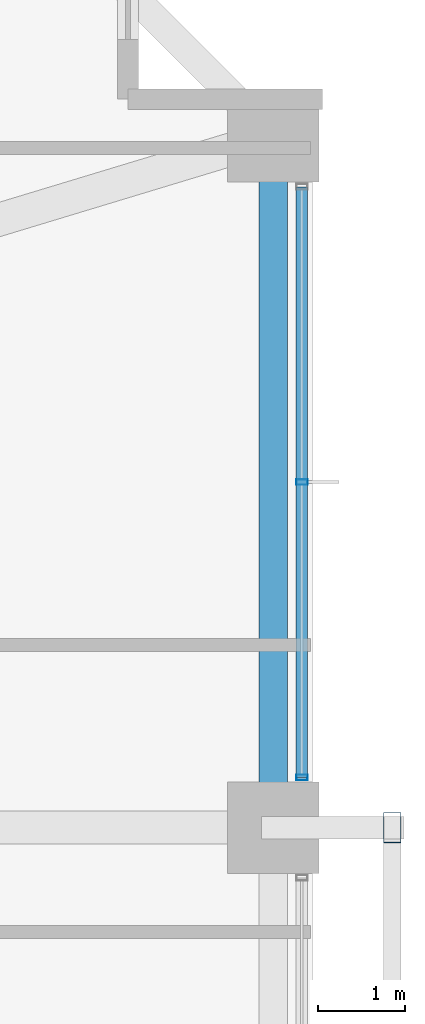
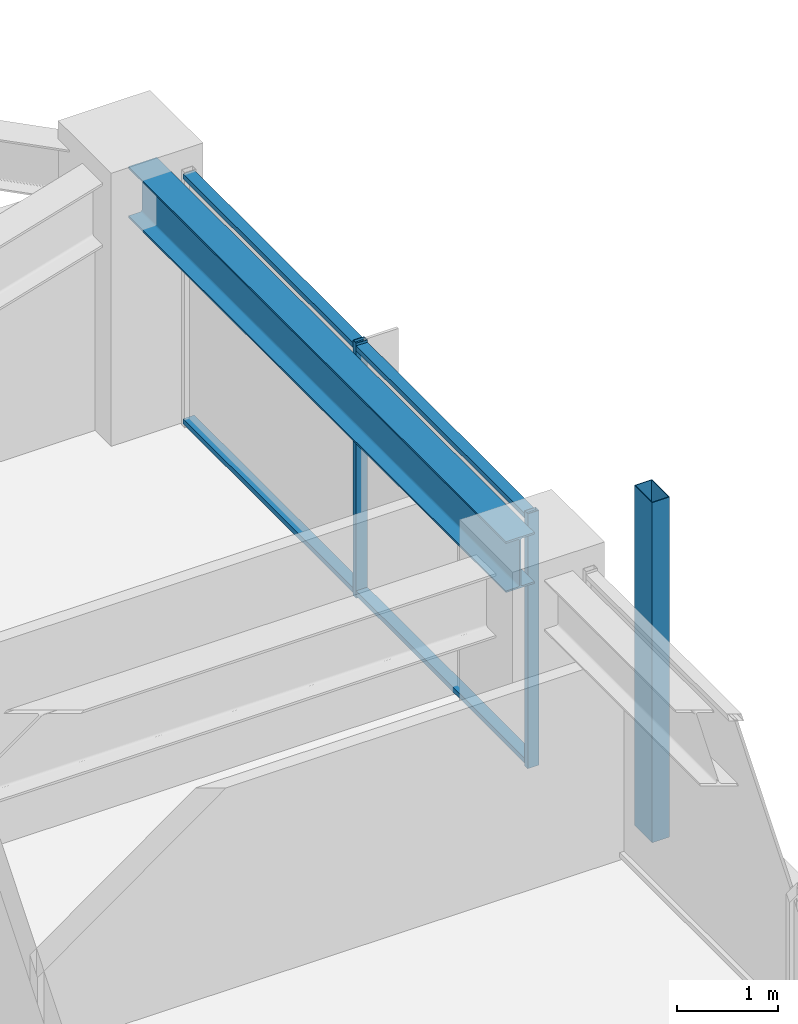
# One storey, part 15 of 34: 5 members, 1 beam, 1 element without a shape of its own.
"""IFC4 building model written with IfcOpenShell, lengths in metres."""

import ifcopenshell
import ifcopenshell.guid

model = None  # the IFC model being written
_history = None  # IfcOwnerHistory: only IFC2X3 demands one
_inside = {}  # id of a spatial element -> (the spatial element, [elements in it])
_under = {}  # id of a project, library or spatial element -> (it, [spatial elements below it])
_declared = {}  # id of a project -> (the project, [libraries it declares])
_typed = {}  # id of a type object -> (the type object, [elements of that type])
_made_of = {}  # id of a material, layer set ... -> (it, [elements and type objects made of it])


def new_model(schema):
    """Start an empty IFC model of exactly this schema.

    Asked for "IFC4X3", IfcOpenShell would pick the latest addendum, in which some entities
    have other attributes; the version numbers below select the first issue.
    IFC2X3 requires an IfcOwnerHistory on every rooted entity: one is made here for all.
    """
    global model, _history
    if schema == "IFC4X3":
        model = ifcopenshell.file(schema_version=(4, 3, 0, 0))
    else:
        model = ifcopenshell.file(schema=schema)
    _inside.clear()
    _under.clear()
    _declared.clear()
    _typed.clear()
    _made_of.clear()
    _history = None
    if model.schema == "IFC2X3":
        org = make("IfcOrganization", Name="unknown")
        user = make(
            "IfcPersonAndOrganization",
            ThePerson=make("IfcPerson", FamilyName="unknown"),
            TheOrganization=org,
        )
        app = make(
            "IfcApplication",
            ApplicationDeveloper=org,
            Version="unknown",
            ApplicationFullName="unknown",
            ApplicationIdentifier="unknown",
        )
        _history = make(
            "IfcOwnerHistory",
            OwningUser=user,
            OwningApplication=app,
            ChangeAction="ADDED",
            CreationDate=0,
        )
    return model


def make(cls, **values):
    """One entity of the class cls with the attributes given. An attribute that is None is left unset."""
    return model.create_entity(
        cls, **{name: value for name, value in values.items() if value is not None}
    )


def rooted(cls, **values):
    """An entity with a GlobalId (a new one), such as an element, a storey or a relation."""
    return make(cls, GlobalId=ifcopenshell.guid.new(), OwnerHistory=_history, **values)


def si_unit(unit_type, name, prefix=None):
    """IfcSIUnit, for example si_unit("LENGTHUNIT", "METRE", prefix="MILLI")."""
    return make("IfcSIUnit", UnitType=unit_type, Prefix=prefix, Name=name)


def assignment(units):
    """IfcUnitAssignment: the units of a project."""
    return None if units is None else make("IfcUnitAssignment", Units=units)


def point(xyz):
    """IfcCartesianPoint."""
    return None if xyz is None else make("IfcCartesianPoint", Coordinates=xyz)


def direction(xyz):
    """IfcDirection."""
    return None if xyz is None else make("IfcDirection", DirectionRatios=xyz)


def frame(location, z_axis=None, x_axis=None):
    """IfcAxis2Placement3D, a coordinate frame: its origin and axes. An axis left out is left unset."""
    return make(
        "IfcAxis2Placement3D",
        Location=point(location),
        Axis=direction(z_axis),
        RefDirection=direction(x_axis),
    )


def frame_2d(location, x_axis=None):
    """IfcAxis2Placement2D, a coordinate frame in the plane: its origin and x axis."""
    return make(
        "IfcAxis2Placement2D", Location=point(location), RefDirection=direction(x_axis)
    )


def origin():
    """The frame at (0, 0, 0) with its axes left unset."""
    return frame((0.0, 0.0, 0.0))


def origin_2d():
    """The frame at (0, 0) in the plane with its x axis left unset."""
    return frame_2d((0.0, 0.0))


def place(relative_to, where):
    """IfcLocalPlacement: puts the frame where relative to a parent placement (None: the world)."""
    return make(
        "IfcLocalPlacement", PlacementRelTo=relative_to, RelativePlacement=where
    )


def context(
    kind, dimensions, precision=None, world=None, true_north=None, identifier=None
):
    """IfcGeometricRepresentationContext, for example the 3D "Model" context."""
    return make(
        "IfcGeometricRepresentationContext",
        ContextIdentifier=identifier,
        ContextType=kind,
        CoordinateSpaceDimension=dimensions,
        Precision=precision,
        WorldCoordinateSystem=world,
        TrueNorth=true_north,
    )


def subcontext(parent, identifier, kind, view, scale=None):
    """IfcGeometricRepresentationSubContext, for example "Body" below "Model"."""
    return make(
        "IfcGeometricRepresentationSubContext",
        ContextIdentifier=identifier,
        ContextType=kind,
        ParentContext=parent,
        TargetScale=scale,
        TargetView=view,
    )


def project(units=None, contexts=None):
    """IfcProject with its units and contexts."""
    return rooted(
        "IfcProject",
        Name="project",
        RepresentationContexts=contexts,
        UnitsInContext=assignment(units),
    )


def spatial(cls, under=None, at=None, **own):
    """A site, building, storey or space (cls), placed at a placement, below another one or the project."""
    s = rooted(cls, ObjectPlacement=at, **own)
    if under is not None:
        _under.setdefault(under.id(), (under, []))[1].append(s)
    return s


def profile(cls, at=None, kind="AREA", **sizes):
    """A parametric profile (cls). Its sizes go by their IFC names, for example OverallWidth=200.0."""
    return make(cls, ProfileType=kind, Position=at, **sizes)


def hollow_rectangle(**sizes):
    """IfcRectangleHollowProfileDef."""
    return profile("IfcRectangleHollowProfileDef", **sizes)


def i_section(**sizes):
    """IfcIShapeProfileDef."""
    return profile("IfcIShapeProfileDef", **sizes)


def extrude(swept, where, along, depth):
    """IfcExtrudedAreaSolid: the profile swept, set in the frame where, extruded along a direction by depth."""
    return make(
        "IfcExtrudedAreaSolid",
        SweptArea=swept,
        Position=where,
        ExtrudedDirection=direction(along),
        Depth=depth,
    )


def shape(context_of_items, identifier, shape_type, items):
    """IfcShapeRepresentation: the items that make up one representation, for example the "Body"."""
    return make(
        "IfcShapeRepresentation",
        ContextOfItems=context_of_items,
        RepresentationIdentifier=identifier,
        RepresentationType=shape_type,
        Items=items,
    )


def material(Name=None, Category=None):
    """IfcMaterial."""
    return make("IfcMaterial", Name=Name, Category=Category)


def material_profile(
    of_material, cross_section, Name=None, Category=None, Priority=None
):
    """IfcMaterialProfile: a cross section and its material."""
    return make(
        "IfcMaterialProfile",
        Name=Name,
        Material=of_material,
        Profile=cross_section,
        Priority=Priority,
        Category=Category,
    )


def profile_set(profiles, Name=None, composite=None):
    """IfcMaterialProfileSet."""
    return make(
        "IfcMaterialProfileSet",
        Name=Name,
        MaterialProfiles=profiles,
        CompositeProfile=composite,
    )


def made_of(thing, what):
    """Note that an element or type object is made of a material, layer set ...; save() writes the relation."""
    if what is not None:
        _made_of.setdefault(what.id(), (what, []))[1].append(thing)
    return thing


def type_object(cls, material=None, **own):
    """A type object (cls), such as IfcWallType, which elements share."""
    return made_of(rooted(cls, **own), material)


def element(
    cls,
    number,
    at=None,
    inside=None,
    cuts=None,
    type_object=None,
    material=None,
    context=None,
    identifier="Body",
    shape_type=None,
    held_by="IfcProductDefinitionShape",
    body=None,
    shapes=None,
    **own,
):
    """One element of the class cls, such as IfcWall. Its Tag is "e" and its number.

    at: its placement. inside: the storey or other place that contains it. cuts: it is an
    opening in that element (IfcRelVoidsElement). A single representation is given by context,
    identifier, shape_type and body (its items); several are given by shapes. held_by: the class
    of the entity that holds the representations. save() writes the other relations.
    """
    e = rooted(cls, Tag="e%d" % number, ObjectPlacement=at, **own)
    if body is not None:
        shapes = [shape(context, identifier, shape_type, body)]
    if shapes is not None:
        e.Representation = make(held_by, Representations=shapes)
    if inside is not None:
        _inside.setdefault(inside.id(), (inside, []))[1].append(e)
    if cuts is not None:
        rooted(
            "IfcRelVoidsElement", RelatingBuildingElement=cuts, RelatedOpeningElement=e
        )
    if type_object is not None:
        _typed.setdefault(type_object.id(), (type_object, []))[1].append(e)
    return made_of(e, material)


def aggregate(whole, parts):
    """IfcRelAggregates: a whole, such as a stair, and the parts it consists of."""
    return rooted("IfcRelAggregates", RelatingObject=whole, RelatedObjects=parts)


def save(model, path):
    """Write the relations noted so far, then the file.

    IfcRelAggregates (storeys below a building ...), IfcRelContainedInSpatialStructure (elements
    in a storey), IfcRelDefinesByType, IfcRelAssociatesMaterial and IfcRelDeclares: one each for
    every whole, place, type object, material and project.
    """
    for whole, parts in _under.values():
        aggregate(whole, parts)
    for where, things in _inside.values():
        rooted(
            "IfcRelContainedInSpatialStructure",
            RelatedElements=things,
            RelatingStructure=where,
        )
    for kind, things in _typed.values():
        rooted("IfcRelDefinesByType", RelatedObjects=things, RelatingType=kind)
    for what, things in _made_of.values():
        rooted("IfcRelAssociatesMaterial", RelatedObjects=things, RelatingMaterial=what)
    for by, libraries in _declared.values():
        rooted("IfcRelDeclares", RelatingContext=by, RelatedDefinitions=libraries)
    model.write(path)


model = new_model("IFC4")

# Units and contexts
model_context = context("Model", 3, precision=1e-05, world=origin(), true_north=direction((0.0, 1.0)))
body_context = subcontext(model_context, "Body", "Model", "MODEL_VIEW")
ifc_project = project(units=[si_unit("LENGTHUNIT", "METRE"), si_unit("AREAUNIT", "SQUARE_METRE"), si_unit("VOLUMEUNIT", "CUBIC_METRE"), si_unit("PLANEANGLEUNIT", "RADIAN"), si_unit("MASSUNIT", "GRAM", prefix="KILO")], contexts=[model_context])

# Site, building, storey
site_placement = place(None, origin())
site = spatial("IfcSite", under=ifc_project, at=site_placement, CompositionType="ELEMENT")
building_placement = place(site_placement, origin())
building = spatial("IfcBuilding", under=site, at=building_placement, Name="Kolvaren Belvedere", CompositionType="ELEMENT")
storey_placement = place(building_placement, frame((0.0, 0.0, 111.800048828125)))
storey = spatial("IfcBuildingStorey", under=building, at=storey_placement, Name="L32", CompositionType="ELEMENT", Elevation=111.800048828125)

# Beam
ifc_material_1 = material(Name="Structural steel ASTM A992 Grade 50", Category="steel")
ifc_material_profile_1 = material_profile(ifc_material_1, i_section(OverallWidth=0.324951171875, OverallDepth=0.615966796875, WebThickness=0.013916015625, FlangeThickness=0.021484375, FilletRadius=0.02001953125, at=origin_2d()), Name="W24X117")
ifc_profile_set_1 = profile_set([ifc_material_profile_1], Name="Structural steel ASTM A992 Grade 50")
beam_type = type_object("IfcBeamType", Name="BM-SPAN-W24X117", PredefinedType="SPANDREL", material=ifc_profile_set_1)
beam_placement = place(storey_placement, frame((18.64990234375, 4.836181640625, 2.77197265625), z_axis=(0.0, 1.0, 0.0), x_axis=(-1.0, 0.0, 0.0)))
element("IfcBeam", 1, at=beam_placement, inside=storey, type_object=beam_type, Name="L32 Perimeter Spandrel E3-E4", PredefinedType="SPANDREL", context=body_context, shape_type="SweptSolid", body=[
    extrude(i_section(OverallWidth=0.324951171875, OverallDepth=0.615966796875, WebThickness=0.013916015625, FlangeThickness=0.021484375, FilletRadius=0.02001953125, at=origin_2d()), origin(), (0.0, 0.0, 1.0), 7.4775390625),
])

# Curtain wall, members
ifc_material_2 = material(Name="Anodised pale-metal aluminium AA 6063-T6", Category="aluminium")
curtain_wall_type = type_object("IfcCurtainWallType", Name="CW-Z3-WAIST", PredefinedType="NOTDEFINED", material=ifc_material_2)
curtain_wall_placement = place(storey_placement, origin())
curtain_wall = element("IfcCurtainWall", 2, at=curtain_wall_placement, inside=storey, type_object=curtain_wall_type, Name="L32 Unitised Curtain Wall FCW-L32-E-B1", PredefinedType="NOTDEFINED")
ifc_material_3 = material(Name="Anodised pale-metal aluminium AA 6063-T6", Category="aluminium")
ifc_material_profile_2 = material_profile(ifc_material_3, hollow_rectangle(XDim=0.06494140625, YDim=0.1298828125, WallThickness=0.00390625, at=origin_2d()), Name="ALU-MUL-130X65")
ifc_profile_set_2 = profile_set([ifc_material_profile_2], Name="Anodised pale-metal aluminium AA 6063-T6")
member_type_1 = type_object("IfcMemberType", Name="CW-MUL-130", PredefinedType="MULLION", material=ifc_profile_set_2)
member_1_placement = place(storey_placement, frame((18.97998046875, 8.574951171875, 0.0), z_axis=(0.0, 0.0, 1.0), x_axis=(0.0, 1.0, 0.0)))
member_1 = element("IfcMember", 3, at=member_1_placement, type_object=member_type_1, Name="FCW-L32-E-B1 Unitised Mullion 2", PredefinedType="MULLION", context=body_context, shape_type="SweptSolid", body=[
    extrude(hollow_rectangle(XDim=0.06494140625, YDim=0.1298828125, WallThickness=0.00390625, at=origin_2d()), origin(), (0.0, 0.0, 1.0), 3.079833984375),
])
member_2_placement = place(storey_placement, frame((18.97998046875, 5.177490234375, 0.0), z_axis=(0.0, 0.0, 1.0), x_axis=(0.0, 1.0, 0.0)))
member_2 = element("IfcMember", 4, at=member_2_placement, type_object=member_type_1, Name="FCW-L32-E-B1 Unitised Mullion 3", PredefinedType="MULLION", context=body_context, shape_type="SweptSolid", body=[
    extrude(hollow_rectangle(XDim=0.06494140625, YDim=0.1298828125, WallThickness=0.00390625, at=origin_2d()), origin(), (0.0, 0.0, 1.0), 3.079833984375),
])
ifc_material_4 = material(Name="Anodised pale-metal aluminium AA 6063-T6", Category="aluminium")
ifc_material_profile_3 = material_profile(ifc_material_4, hollow_rectangle(XDim=0.06005859375, YDim=0.1298828125, WallThickness=0.00390625, at=origin_2d()), Name="ALU-TRN-130X60")
ifc_profile_set_3 = profile_set([ifc_material_profile_3], Name="Anodised pale-metal aluminium AA 6063-T6")
member_type_2 = type_object("IfcMemberType", Name="CW-TRN-130", PredefinedType="USERDEFINED", material=ifc_profile_set_3)
member_3_placement = place(storey_placement, frame((18.97998046875, 11.972412109375, 0.06005859375), z_axis=(0.0, -1.0, 0.0), x_axis=(0.0, 0.0, 1.0)))
member_3 = element("IfcMember", 5, at=member_3_placement, type_object=member_type_2, Name="FCW-L32-E-B1 Sill Transom", ObjectType="TRANSOM", PredefinedType="USERDEFINED", context=body_context, shape_type="SweptSolid", body=[
    extrude(hollow_rectangle(XDim=0.06005859375, YDim=0.1298828125, WallThickness=0.00390625, at=origin_2d()), origin(), (0.0, 0.0, 1.0), 6.794921875),
])
member_4_placement = place(storey_placement, frame((18.97998046875, 11.972412109375, 3.02001953125), z_axis=(0.0, -1.0, 0.0), x_axis=(0.0, 0.0, 1.0)))
member_4 = element("IfcMember", 6, at=member_4_placement, type_object=member_type_2, Name="FCW-L32-E-B1 Head Transom", ObjectType="TRANSOM", PredefinedType="USERDEFINED", context=body_context, shape_type="SweptSolid", body=[
    extrude(hollow_rectangle(XDim=0.06005859375, YDim=0.1298828125, WallThickness=0.00390625, at=origin_2d()), origin(), (0.0, 0.0, 1.0), 6.794921875),
])
aggregate(curtain_wall, [member_1, member_2, member_3, member_4])

# Member
ifc_material_5 = material(Name="Anodised pale-metal aluminium AA 6063-T6", Category="aluminium")
ifc_material_profile_4 = material_profile(ifc_material_5, hollow_rectangle(XDim=0.199951171875, YDim=0.35009765625, WallThickness=0.007568359375, at=origin_2d()), Name="ALU-PF-350X200")
ifc_profile_set_4 = profile_set([ifc_material_profile_4], Name="Anodised pale-metal aluminium AA 6063-T6")
member_type_3 = type_object("IfcMemberType", Name="PF-FRAME-350", PredefinedType="USERDEFINED", material=ifc_profile_set_4)
member_5_placement = place(storey_placement, frame((20.02001953125, 4.60009765625, -0.81005859375), z_axis=(0.0, 0.0, 1.0), x_axis=(1.0, 0.0, 0.0)))
element("IfcMember", 7, at=member_5_placement, inside=storey, type_object=member_type_3, Name="L32 Outboard Picture-Frame Vertical E1", ObjectType="PICTURE FRAME FIN", PredefinedType="USERDEFINED", context=body_context, shape_type="SweptSolid", body=[
    extrude(hollow_rectangle(XDim=0.199951171875, YDim=0.35009765625, WallThickness=0.007568359375, at=origin_2d()), origin(), (0.0, 0.0, 1.0), 4.110107421875),
])

save(model, "model.ifc")
